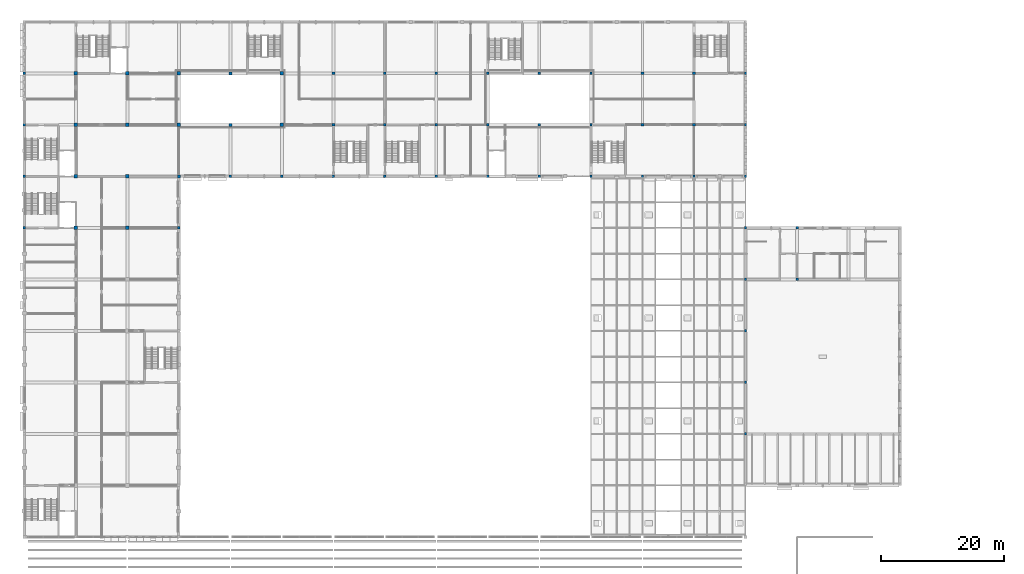
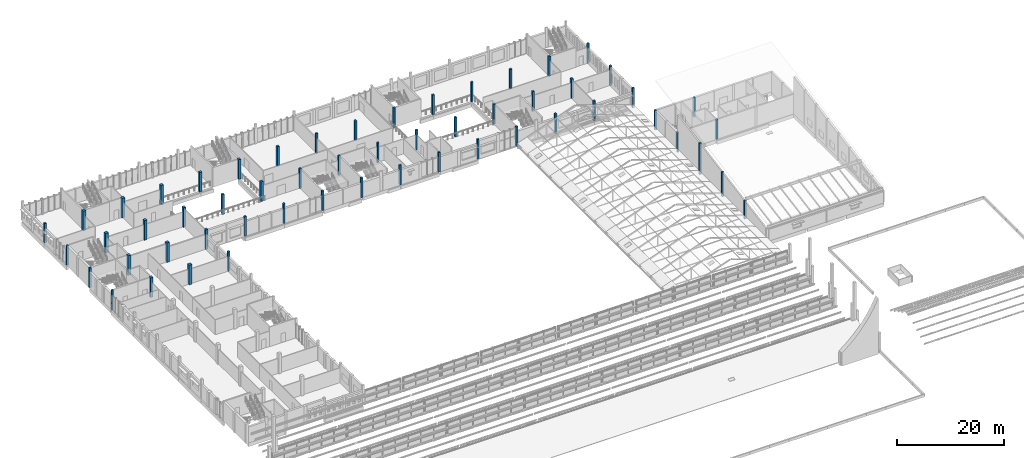
# One storey, part 3 of 116: 56 columns.
"""IFC4 building model written with IfcOpenShell, lengths in metres."""

from ifc_helpers import new_model, si_unit, direction, frame, origin, origin_2d, place, context, subcontext, project, spatial, rectangle, extrude, material, material_profile, profile_set, type_object, element, save


model = new_model("IFC4")

# Units and contexts
model_context = context("Model", 3, precision=1e-05, world=origin(), true_north=direction((0.0, 1.0)))
body_context = subcontext(model_context, "Body", "Model", "MODEL_VIEW")
ifc_project = project(units=[si_unit("LENGTHUNIT", "METRE"), si_unit("AREAUNIT", "SQUARE_METRE"), si_unit("VOLUMEUNIT", "CUBIC_METRE"), si_unit("PLANEANGLEUNIT", "RADIAN"), si_unit("MASSUNIT", "GRAM", prefix="KILO")], contexts=[model_context])

# Site, building, storey
site_placement = place(None, origin())
site = spatial("IfcSite", under=ifc_project, at=site_placement, CompositionType="ELEMENT")
building_placement = place(site_placement, origin())
building = spatial("IfcBuilding", under=site, at=building_placement, Name="Fescue Hill Polytechnic", CompositionType="ELEMENT")
storey_placement = place(building_placement, frame((0.0, 0.0, 13.5)))
storey = spatial("IfcBuildingStorey", under=building, at=storey_placement, Name="L03", CompositionType="ELEMENT", Elevation=13.5)

# Columns
ifc_material = material(Name="Concrete 40 MPa", Category="concrete")
ifc_material_profile_1 = material_profile(ifc_material, rectangle(XDim=0.39990234375, YDim=0.39990234375, at=origin_2d()), Name="RC 400x400")
ifc_profile_set_1 = profile_set([ifc_material_profile_1], Name="Concrete 40 MPa")
column_type_1 = type_object("IfcColumnType", Name="Column RC 400x400", PredefinedType="COLUMN", material=ifc_profile_set_1)
for number, where, z_axis, x_axis, name in (
    (1, (117.60009765625, 92.39990234375, 0.0), (0.0, 0.0, 1.0), (1.0, 0.0, 0.0), "COL-L03-V2-001"),
    (2, (117.60009765625, 100.800048828125, 0.0), (0.0, 0.0, 1.0), (1.0, 0.0, 0.0), "COL-L03-V2-002"),
    (3, (126.0, 92.39990234375, 0.0), (0.0, 0.0, 1.0), (1.0, 0.0, 0.0), "COL-L03-V2-003"),
    (4, (126.0, 100.800048828125, 0.0), (0.0, 0.0, 1.0), (1.0, 0.0, 0.0), "COL-L03-V2-004"),
    (5, (0.0, 100.800048828125, 0.0), (0.0, 0.0, 1.0), (1.0, 0.0, 0.0), "COL-L03-V4-006"),
    (6, (0.0, 109.199951171875, 0.0), (0.0, 0.0, 1.0), (1.0, 0.0, 0.0), "COL-L03-V4-007"),
    (7, (25.199951171875, 100.800048828125, 0.0), (0.0, 0.0, 1.0), (1.0, 0.0, 0.0), "COL-L03-V4-030"),
    (8, (0.0, 117.60009765625, 0.0), (0.0, 0.0, 1.0), (1.0, 0.0, 0.0), "COL-L03-V5-001"),
    (9, (0.0, 126.0, 0.0), (0.0, 0.0, 1.0), (1.0, 0.0, 0.0), "COL-L03-V5-002"),
    (10, (33.60009765625, 109.199951171875, 0.0), (0.0, 0.0, 1.0), (1.0, 0.0, 0.0), "COL-L03-V5-013"),
    (11, (42.0, 109.199951171875, 0.0), (0.0, 0.0, 1.0), (1.0, 0.0, 0.0), "COL-L03-V5-017"),
    (12, (50.39990234375, 109.199951171875, 0.0), (0.0, 0.0, 1.0), (1.0, 0.0, 0.0), "COL-L03-V5-021"),
    (13, (58.800048828125, 109.199951171875, 0.0), (0.0, 0.0, 1.0), (1.0, 0.0, 0.0), "COL-L03-V5-025"),
    (14, (58.800048828125, 117.60009765625, 0.0), (0.0, 0.0, 1.0), (1.0, 0.0, 0.0), "COL-L03-V5-026"),
    (15, (58.800048828125, 126.0, 0.0), (0.0, 0.0, 1.0), (1.0, 0.0, 0.0), "COL-L03-V5-027"),
    (16, (67.199951171875, 109.199951171875, 0.0), (0.0, 0.0, 1.0), (1.0, 0.0, 0.0), "COL-L03-V4b-001"),
    (17, (67.199951171875, 117.60009765625, 0.0), (0.0, 0.0, 1.0), (1.0, 0.0, 0.0), "COL-L03-V4b-002"),
    (18, (67.199951171875, 126.0, 0.0), (0.0, 0.0, 1.0), (1.0, 0.0, 0.0), "COL-L03-V4b-003"),
    (19, (75.60009765625, 109.199951171875, 0.0), (0.0, 0.0, 1.0), (1.0, 0.0, 0.0), "COL-L03-V4b-005"),
    (20, (75.60009765625, 117.60009765625, 0.0), (0.0, 0.0, 1.0), (1.0, 0.0, 0.0), "COL-L03-V4b-006"),
    (21, (75.60009765625, 126.0, 0.0), (0.0, 0.0, 1.0), (1.0, 0.0, 0.0), "COL-L03-V4b-007"),
    (22, (84.0, 109.199951171875, 0.0), (0.0, 0.0, 1.0), (1.0, 0.0, 0.0), "COL-L03-V4b-009"),
    (23, (84.0, 117.60009765625, 0.0), (0.0, 0.0, 1.0), (1.0, 0.0, 0.0), "COL-L03-V4b-010"),
    (24, (84.0, 126.0, 0.0), (0.0, 0.0, 1.0), (1.0, 0.0, 0.0), "COL-L03-V4b-011"),
    (25, (92.39990234375, 109.199951171875, 0.0), (0.0, 0.0, 1.0), (1.0, 0.0, 0.0), "COL-L03-V4b-013"),
    (26, (92.39990234375, 117.60009765625, 0.0), (0.0, 0.0, 1.0), (1.0, 0.0, 0.0), "COL-L03-V4b-014"),
    (27, (92.39990234375, 126.0, 0.0), (0.0, 0.0, 1.0), (1.0, 0.0, 0.0), "COL-L03-V4b-015"),
    (28, (100.800048828125, 109.199951171875, 0.0), (0.0, 0.0, 1.0), (1.0, 0.0, 0.0), "COL-L03-V4b-017"),
    (29, (109.199951171875, 109.199951171875, 0.0), (0.0, 0.0, 1.0), (1.0, 0.0, 0.0), "COL-L03-V4b-021"),
    (30, (117.60009765625, 109.199951171875, 0.0), (0.0, 0.0, 1.0), (1.0, 0.0, 0.0), "COL-L03-V4b-025"),
    (31, (117.60009765625, 117.60009765625, 0.0), (0.0, 0.0, 1.0), (1.0, 0.0, 0.0), "COL-L03-V4b-026"),
    (32, (117.60009765625, 126.0, 0.0), (0.0, 0.0, 1.0), (1.0, 0.0, 0.0), "COL-L03-V4b-027"),
):
    element("IfcColumn", number, at=place(storey_placement, frame(where, z_axis=z_axis, x_axis=x_axis)), inside=storey, type_object=column_type_1, Name=name, PredefinedType="COLUMN", context=body_context, shape_type="SweptSolid", body=[
        extrude(rectangle(XDim=0.39990234375, YDim=0.39990234375, at=origin_2d()), origin(), (0.0, 0.0, 1.0), 4.5),
    ])
column_1_placement = place(storey_placement, frame((117.60009765625, 67.199951171875, 0.0), z_axis=(0.0, 0.0, 1.0), x_axis=(1.0, 0.0, 0.0)))
element("IfcColumn", 33, at=column_1_placement, inside=storey, type_object=column_type_1, Name="Lecture girder post 2", PredefinedType="COLUMN", context=body_context, shape_type="SweptSolid", body=[
    extrude(rectangle(XDim=0.39990234375, YDim=0.39990234375, at=origin_2d()), origin(), (0.0, 0.0, 1.0), 4.14990234375),
])
column_2_placement = place(storey_placement, frame((117.60009765625, 75.60009765625, 0.0), z_axis=(0.0, 0.0, 1.0), x_axis=(1.0, 0.0, 0.0)))
element("IfcColumn", 34, at=column_2_placement, inside=storey, type_object=column_type_1, Name="Lecture girder post 3", PredefinedType="COLUMN", context=body_context, shape_type="SweptSolid", body=[
    extrude(rectangle(XDim=0.39990234375, YDim=0.39990234375, at=origin_2d()), origin(), (0.0, 0.0, 1.0), 5.64990234375),
])
column_3_placement = place(storey_placement, frame((117.60009765625, 84.0, 0.0), z_axis=(0.0, 0.0, 1.0), x_axis=(1.0, 0.0, 0.0)))
element("IfcColumn", 35, at=column_3_placement, inside=storey, type_object=column_type_1, Name="Lecture girder post 4", PredefinedType="COLUMN", context=body_context, shape_type="SweptSolid", body=[
    extrude(rectangle(XDim=0.39990234375, YDim=0.39990234375, at=origin_2d()), origin(), (0.0, 0.0, 1.0), 7.14990234375),
])
ifc_material_profile_2 = material_profile(ifc_material, rectangle(XDim=0.449951171875, YDim=0.449951171875, at=origin_2d()), Name="RC 450x450")
ifc_profile_set_2 = profile_set([ifc_material_profile_2], Name="Concrete 40 MPa")
column_type_2 = type_object("IfcColumnType", Name="Column RC 450x450", PredefinedType="COLUMN", material=ifc_profile_set_2)
for number, where, z_axis, x_axis, name in (
    (36, (50.39990234375, 117.60009765625, 0.0), (0.0, 0.0, 1.0), (1.0, 0.0, 0.0), "COL-L03-V5-022"),
    (37, (50.39990234375, 126.0, 0.0), (0.0, 0.0, 1.0), (1.0, 0.0, 0.0), "COL-L03-V5-023"),
    (38, (100.800048828125, 117.60009765625, 0.0), (0.0, 0.0, 1.0), (1.0, 0.0, 0.0), "COL-L03-V4b-018"),
    (39, (100.800048828125, 126.0, 0.0), (0.0, 0.0, 1.0), (1.0, 0.0, 0.0), "COL-L03-V4b-019"),
    (40, (109.199951171875, 117.60009765625, 0.0), (0.0, 0.0, 1.0), (1.0, 0.0, 0.0), "COL-L03-V4b-022"),
    (41, (109.199951171875, 126.0, 0.0), (0.0, 0.0, 1.0), (1.0, 0.0, 0.0), "COL-L03-V4b-023"),
):
    element("IfcColumn", number, at=place(storey_placement, frame(where, z_axis=z_axis, x_axis=x_axis)), inside=storey, type_object=column_type_2, Name=name, PredefinedType="COLUMN", context=body_context, shape_type="SweptSolid", body=[
        extrude(rectangle(XDim=0.449951171875, YDim=0.449951171875, at=origin_2d()), origin(), (0.0, 0.0, 1.0), 4.5),
    ])
ifc_material_profile_3 = material_profile(ifc_material, rectangle(XDim=0.5, YDim=0.5, at=origin_2d()), Name="RC 500x500")
ifc_profile_set_3 = profile_set([ifc_material_profile_3], Name="Concrete 40 MPa")
column_type_3 = type_object("IfcColumnType", Name="Column RC 500x500", PredefinedType="COLUMN", material=ifc_profile_set_3)
for number, where, z_axis, x_axis, name in (
    (42, (25.199951171875, 109.199951171875, 0.0), (0.0, 0.0, 1.0), (1.0, 0.0, 0.0), "COL-L03-V4-031"),
    (43, (33.60009765625, 117.60009765625, 0.0), (0.0, 0.0, 1.0), (1.0, 0.0, 0.0), "COL-L03-V5-014"),
    (44, (33.60009765625, 126.0, 0.0), (0.0, 0.0, 1.0), (1.0, 0.0, 0.0), "COL-L03-V5-015"),
):
    element("IfcColumn", number, at=place(storey_placement, frame(where, z_axis=z_axis, x_axis=x_axis)), inside=storey, type_object=column_type_3, Name=name, PredefinedType="COLUMN", context=body_context, shape_type="SweptSolid", body=[
        extrude(rectangle(XDim=0.5, YDim=0.5, at=origin_2d()), origin(), (0.0, 0.0, 1.0), 4.5),
    ])
ifc_material_profile_4 = material_profile(ifc_material, rectangle(XDim=0.550048828125, YDim=0.550048828125, at=origin_2d()), Name="RC 550x550")
ifc_profile_set_4 = profile_set([ifc_material_profile_4], Name="Concrete 40 MPa")
column_type_4 = type_object("IfcColumnType", Name="Column RC 550x550", PredefinedType="COLUMN", material=ifc_profile_set_4)
for number, where, z_axis, x_axis, name in (
    (45, (25.199951171875, 117.60009765625, 0.0), (0.0, 0.0, 1.0), (1.0, 0.0, 0.0), "COL-L03-V5-010"),
    (46, (25.199951171875, 126.0, 0.0), (0.0, 0.0, 1.0), (1.0, 0.0, 0.0), "COL-L03-V5-011"),
    (47, (42.0, 117.60009765625, 0.0), (0.0, 0.0, 1.0), (1.0, 0.0, 0.0), "COL-L03-V5-018"),
    (48, (42.0, 126.0, 0.0), (0.0, 0.0, 1.0), (1.0, 0.0, 0.0), "COL-L03-V5-019"),
):
    element("IfcColumn", number, at=place(storey_placement, frame(where, z_axis=z_axis, x_axis=x_axis)), inside=storey, type_object=column_type_4, Name=name, PredefinedType="COLUMN", context=body_context, shape_type="SweptSolid", body=[
        extrude(rectangle(XDim=0.550048828125, YDim=0.550048828125, at=origin_2d()), origin(), (0.0, 0.0, 1.0), 4.5),
    ])
ifc_material_profile_5 = material_profile(ifc_material, rectangle(XDim=0.60009765625, YDim=0.60009765625, at=origin_2d()), Name="RC 600x600")
ifc_profile_set_5 = profile_set([ifc_material_profile_5], Name="Concrete 40 MPa")
column_type_5 = type_object("IfcColumnType", Name="Column RC 600x600", PredefinedType="COLUMN", material=ifc_profile_set_5)
for number, where, z_axis, x_axis, name in (
    (49, (8.39990234375, 100.800048828125, 0.0), (0.0, 0.0, 1.0), (1.0, 0.0, 0.0), "COL-L03-V4-014"),
    (50, (8.39990234375, 109.199951171875, 0.0), (0.0, 0.0, 1.0), (1.0, 0.0, 0.0), "COL-L03-V4-015"),
    (51, (16.800048828125, 100.800048828125, 0.0), (0.0, 0.0, 1.0), (1.0, 0.0, 0.0), "COL-L03-V4-022"),
    (52, (16.800048828125, 109.199951171875, 0.0), (0.0, 0.0, 1.0), (1.0, 0.0, 0.0), "COL-L03-V4-023"),
    (53, (8.39990234375, 117.60009765625, 0.0), (0.0, 0.0, 1.0), (1.0, 0.0, 0.0), "COL-L03-V5-004"),
    (54, (8.39990234375, 126.0, 0.0), (0.0, 0.0, 1.0), (1.0, 0.0, 0.0), "COL-L03-V5-005"),
    (55, (16.800048828125, 117.60009765625, 0.0), (0.0, 0.0, 1.0), (1.0, 0.0, 0.0), "COL-L03-V5-007"),
    (56, (16.800048828125, 126.0, 0.0), (0.0, 0.0, 1.0), (1.0, 0.0, 0.0), "COL-L03-V5-008"),
):
    element("IfcColumn", number, at=place(storey_placement, frame(where, z_axis=z_axis, x_axis=x_axis)), inside=storey, type_object=column_type_5, Name=name, PredefinedType="COLUMN", context=body_context, shape_type="SweptSolid", body=[
        extrude(rectangle(XDim=0.60009765625, YDim=0.60009765625, at=origin_2d()), origin(), (0.0, 0.0, 1.0), 4.5),
    ])

save(model, "model.ifc")
